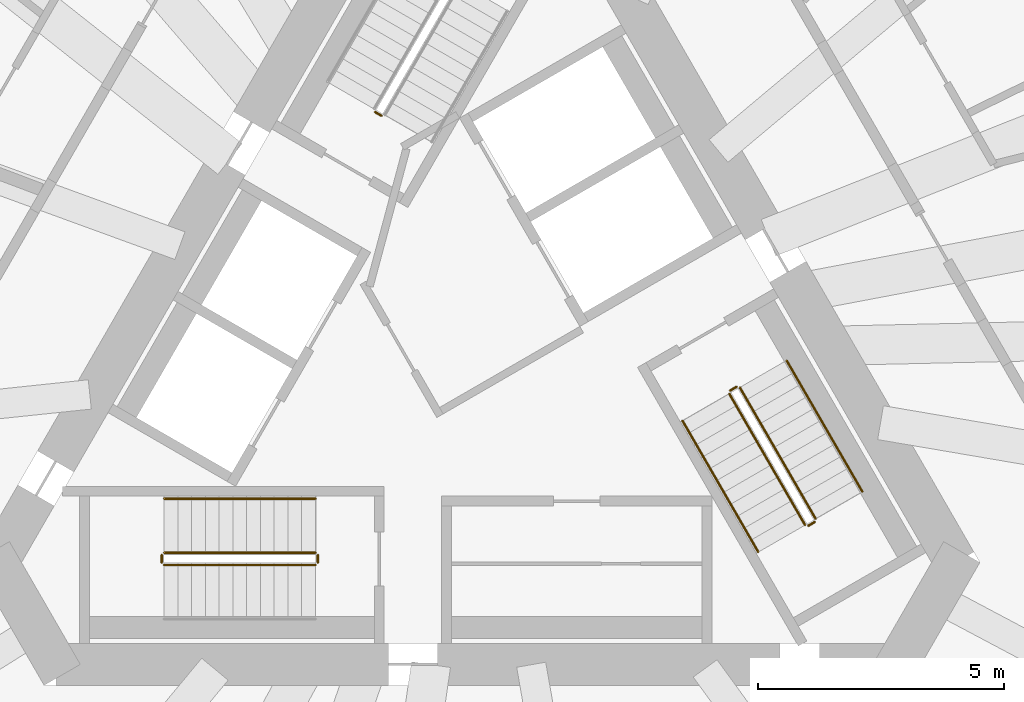
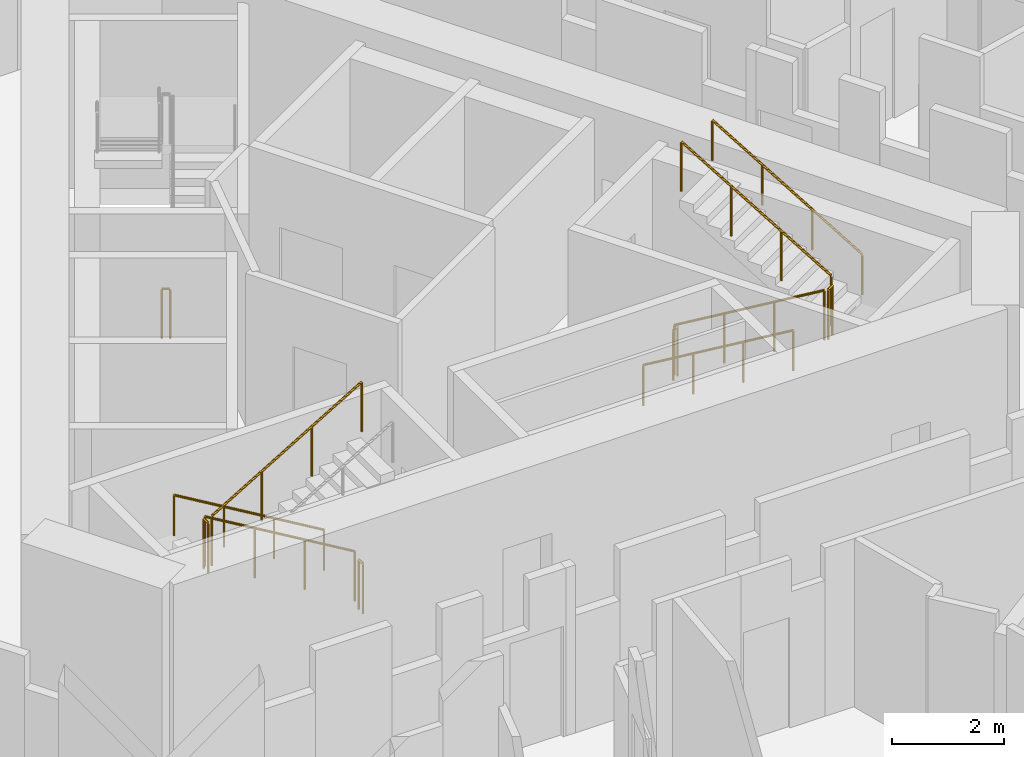
# One storey, part 11 of 14: 12 railings.
"""IFC4 building model written with IfcOpenShell, lengths in metres."""

from ifc_helpers import new_model, si_unit, direction, frame, origin, origin_2d, place, context, subcontext, project, spatial, circle, extrude, material, type_object, element, save


model = new_model("IFC4")

# Units and contexts
model_context = context("Model", 3, precision=1e-05, world=origin(), true_north=direction((0.0, 1.0)))
body_context = subcontext(model_context, "Body", "Model", "MODEL_VIEW")
ifc_project = project(units=[si_unit("LENGTHUNIT", "METRE"), si_unit("AREAUNIT", "SQUARE_METRE"), si_unit("VOLUMEUNIT", "CUBIC_METRE"), si_unit("PLANEANGLEUNIT", "RADIAN"), si_unit("MASSUNIT", "GRAM", prefix="KILO")], contexts=[model_context])

# Site, building, storey
site_placement = place(None, origin())
site = spatial("IfcSite", under=ifc_project, at=site_placement, CompositionType="ELEMENT")
building_placement = place(site_placement, origin())
building = spatial("IfcBuilding", under=site, at=building_placement, Name="Tramontana Tower", CompositionType="ELEMENT")
storey_placement = place(building_placement, frame((0.0, 0.0, 190.800048828125)))
storey = spatial("IfcBuildingStorey", under=building, at=storey_placement, Name="L44", CompositionType="ELEMENT", Elevation=190.800048828125)

# Railings
ifc_material_1 = material(Name="Painted steel", Category="steel")
railing_type_1 = type_object("IfcRailingType", Name="STAIR GUARD 1100", PredefinedType="GUARDRAIL", material=ifc_material_1)
railing_1_placement = place(storey_placement, frame((-1.935791015625, 4.84716796875, 0.0)))
element("IfcRailing", 1, at=railing_1_placement, inside=storey, type_object=railing_type_1, Name="L44 ST1 stair guard 4", PredefinedType="GUARDRAIL", context=body_context, shape_type="SweptSolid", body=[
    extrude(circle(Radius=0.02392578125, at=origin_2d()), frame((0.0, 0.0, 1.076171875), z_axis=(-0.865426285481, 0.501036270542, 0.0), x_axis=(-0.501036270542, -0.865426285481, 0.0)), (0.0, 0.0, 1.0), 0.150146484375),
    extrude(circle(Radius=0.02099609375, at=origin_2d()), origin(), (0.0, 0.0, 1.0), 1.052001953125),
    extrude(circle(Radius=0.02099609375, at=origin_2d()), frame((-0.1298828125, 0.0751953125, 0.0)), (0.0, 0.0, 1.0), 1.052001953125),
])
railing_2_placement = place(storey_placement, frame((-3.280029296875, -4.050048828125, 0.16650390625)))
element("IfcRailing", 2, at=railing_2_placement, inside=storey, type_object=railing_type_1, Name="L44 ST2 stair guard 1", PredefinedType="GUARDRAIL", context=body_context, shape_type="SweptSolid", body=[
    extrude(circle(Radius=0.02392578125, at=origin_2d()), frame((0.0, 0.0, 1.076171875), z_axis=(-0.85927862911, 0.0, 0.511507807912), x_axis=(0.0, -1.0, 0.0)), (0.0, 0.0, 1.0), 3.58447265625),
    extrude(circle(Radius=0.02099609375, at=origin_2d()), origin(), (0.0, 0.0, 1.0), 1.052001953125),
    extrude(circle(Radius=0.02099609375, at=origin_2d()), frame((-1.026611328125, 0.0, 0.611083984375)), (0.0, 0.0, 1.0), 1.052001953125),
    extrude(circle(Radius=0.02099609375, at=origin_2d()), frame((-2.053466796875, 0.0, 1.222412109375)), (0.0, 0.0, 1.0), 1.052001953125),
    extrude(circle(Radius=0.02099609375, at=origin_2d()), frame((-3.080078125, 0.0, 1.83349609375)), (0.0, 0.0, 1.0), 1.052001953125),
])
railing_3_placement = place(storey_placement, frame((-6.360107421875, -4.300048828125, 2.16650390625)))
element("IfcRailing", 3, at=railing_3_placement, inside=storey, type_object=railing_type_1, Name="L44 ST2 stair guard 2", PredefinedType="GUARDRAIL", context=body_context, shape_type="SweptSolid", body=[
    extrude(circle(Radius=0.02392578125, at=origin_2d()), frame((0.0, 0.0, 1.076171875), z_axis=(0.85927862911, 0.0, 0.511507807912), x_axis=(0.0, 1.0, 0.0)), (0.0, 0.0, 1.0), 3.58447265625),
    extrude(circle(Radius=0.02099609375, at=origin_2d()), origin(), (0.0, 0.0, 1.0), 1.052001953125),
    extrude(circle(Radius=0.02099609375, at=origin_2d()), frame((1.026611328125, 0.0, 0.611083984375)), (0.0, 0.0, 1.0), 1.052001953125),
    extrude(circle(Radius=0.02099609375, at=origin_2d()), frame((2.053466796875, 0.0, 1.222412109375)), (0.0, 0.0, 1.0), 1.052001953125),
    extrude(circle(Radius=0.02099609375, at=origin_2d()), frame((3.080078125, 0.0, 1.83349609375)), (0.0, 0.0, 1.0), 1.052001953125),
])
for number, where, name in (
    (4, (-6.409912109375, -4.10009765625, 2.0), "L44 ST2 stair guard 3"),
    (5, (-3.22998046875, -4.10009765625, 0.0), "L44 ST2 stair guard 4"),
):
    element("IfcRailing", number, at=place(storey_placement, frame(where)), inside=storey, type_object=railing_type_1, Name=name, PredefinedType="GUARDRAIL", context=body_context, shape_type="SweptSolid", body=[
        extrude(circle(Radius=0.02392578125, at=origin_2d()), frame((0.0, 0.0, 1.076171875), z_axis=(0.0, -1.0, 0.0), x_axis=(1.0, 0.0, 0.0)), (0.0, 0.0, 1.0), 0.14990234375),
        extrude(circle(Radius=0.02099609375, at=origin_2d()), origin(), (0.0, 0.0, 1.0), 1.052001953125),
        extrude(circle(Radius=0.02099609375, at=origin_2d()), frame((0.0, -0.14990234375, 0.0)), (0.0, 0.0, 1.0), 1.052001953125),
    ])
railing_4_placement = place(storey_placement, frame((5.1474609375, -0.815673828125, 0.16650390625)))
element("IfcRailing", 6, at=railing_4_placement, inside=storey, type_object=railing_type_1, Name="L44 ST3 stair guard 1", PredefinedType="GUARDRAIL", context=body_context, shape_type="SweptSolid", body=[
    extrude(circle(Radius=0.02392578125, at=origin_2d()), frame((0.0, 0.0, 1.076171875), z_axis=(0.429656224001, -0.744133520484, 0.511527939481), x_axis=(0.866010015463, 0.500026652407, 0.0)), (0.0, 0.0, 1.0), 3.58447265625),
    extrude(circle(Radius=0.02099609375, at=origin_2d()), origin(), (0.0, 0.0, 1.0), 1.052001953125),
    extrude(circle(Radius=0.02099609375, at=origin_2d()), frame((0.513427734375, -0.88916015625, 0.611083984375)), (0.0, 0.0, 1.0), 1.052001953125),
    extrude(circle(Radius=0.02099609375, at=origin_2d()), frame((1.026611328125, -1.778076171875, 1.222412109375)), (0.0, 0.0, 1.0), 1.052001953125),
    extrude(circle(Radius=0.02099609375, at=origin_2d()), frame((1.5400390625, -2.667236328125, 1.83349609375)), (0.0, 0.0, 1.0), 1.052001953125),
])
railing_5_placement = place(storey_placement, frame((6.90380859375, -3.35791015625, 2.16650390625)))
element("IfcRailing", 7, at=railing_5_placement, inside=storey, type_object=railing_type_1, Name="L44 ST3 stair guard 2", PredefinedType="GUARDRAIL", context=body_context, shape_type="SweptSolid", body=[
    extrude(circle(Radius=0.02392578125, at=origin_2d()), frame((0.0, 0.0, 1.076171875), z_axis=(-0.429600682602, 0.744155296881, 0.511542908886), x_axis=(-0.866044340336, -0.499967199496, 0.0)), (0.0, 0.0, 1.0), 3.584228515625),
    extrude(circle(Radius=0.02099609375, at=origin_2d()), origin(), (0.0, 0.0, 1.0), 1.052001953125),
    extrude(circle(Radius=0.02099609375, at=origin_2d()), frame((-0.51318359375, 0.88916015625, 0.611083984375)), (0.0, 0.0, 1.0), 1.052001953125),
    extrude(circle(Radius=0.02099609375, at=origin_2d()), frame((-1.026611328125, 1.778076171875, 1.222412109375)), (0.0, 0.0, 1.0), 1.052001953125),
    extrude(circle(Radius=0.02099609375, at=origin_2d()), frame((-1.539794921875, 2.667236328125, 1.83349609375)), (0.0, 0.0, 1.0), 1.052001953125),
])
for number, where, name in (
    (8, (6.755615234375, -3.501220703125, 2.0), "L44 ST3 stair guard 3"),
    (9, (5.165771484375, -0.747314453125, 0.0), "L44 ST3 stair guard 4"),
):
    element("IfcRailing", number, at=place(storey_placement, frame(where)), inside=storey, type_object=railing_type_1, Name=name, PredefinedType="GUARDRAIL", context=body_context, shape_type="SweptSolid", body=[
        extrude(circle(Radius=0.02392578125, at=origin_2d()), frame((0.0, 0.0, 1.076171875), z_axis=(0.866131372301, 0.499816412211, 0.0), x_axis=(-0.499816412211, 0.866131372301, 0.0)), (0.0, 0.0, 1.0), 0.14990234375),
        extrude(circle(Radius=0.02099609375, at=origin_2d()), origin(), (0.0, 0.0, 1.0), 1.052001953125),
        extrude(circle(Radius=0.02099609375, at=origin_2d()), frame((0.1298828125, 0.074951171875, 0.0)), (0.0, 0.0, 1.0), 1.052001953125),
    ])
ifc_material_2 = material(Name="Painted steel", Category="steel")
railing_type_2 = type_object("IfcRailingType", Name="STAIR HANDRAIL 900", PredefinedType="HANDRAIL", material=ifc_material_2)
railing_6_placement = place(storey_placement, frame((-3.280029296875, -2.949951171875, 0.16650390625)))
element("IfcRailing", 10, at=railing_6_placement, inside=storey, type_object=railing_type_2, Name="L44 ST2 stair handrail 1", PredefinedType="HANDRAIL", context=body_context, shape_type="SweptSolid", body=[
    extrude(circle(Radius=0.02392578125, at=origin_2d()), frame((0.0, 0.0, 0.8759765625), z_axis=(-0.85927862911, 0.0, 0.511507807912), x_axis=(0.0, -1.0, 0.0)), (0.0, 0.0, 1.0), 3.58447265625),
    extrude(circle(Radius=0.02099609375, at=origin_2d()), origin(), (0.0, 0.0, 1.0), 0.851806640625),
    extrude(circle(Radius=0.02099609375, at=origin_2d()), frame((-1.026611328125, 0.0, 0.611083984375)), (0.0, 0.0, 1.0), 0.851806640625),
    extrude(circle(Radius=0.02099609375, at=origin_2d()), frame((-2.053466796875, 0.0, 1.222412109375)), (0.0, 0.0, 1.0), 0.851806640625),
    extrude(circle(Radius=0.02099609375, at=origin_2d()), frame((-3.080078125, 0.0, 1.83349609375)), (0.0, 0.0, 1.0), 0.851806640625),
])
railing_7_placement = place(storey_placement, frame((4.19482421875, -1.365478515625, 0.16650390625)))
element("IfcRailing", 11, at=railing_7_placement, inside=storey, type_object=railing_type_2, Name="L44 ST3 stair handrail 1", PredefinedType="HANDRAIL", context=body_context, shape_type="SweptSolid", body=[
    extrude(circle(Radius=0.02392578125, at=origin_2d()), frame((0.0, 0.0, 0.8759765625), z_axis=(0.429634447492, -0.7441639146, 0.511502013422), x_axis=(0.866029832698, 0.499992328818, 0.0)), (0.0, 0.0, 1.0), 3.58447265625),
    extrude(circle(Radius=0.02099609375, at=origin_2d()), origin(), (0.0, 0.0, 1.0), 0.851806640625),
    extrude(circle(Radius=0.02099609375, at=origin_2d()), frame((0.513427734375, -0.88916015625, 0.611083984375)), (0.0, 0.0, 1.0), 0.851806640625),
    extrude(circle(Radius=0.02099609375, at=origin_2d()), frame((1.026611328125, -1.7783203125, 1.222412109375)), (0.0, 0.0, 1.0), 0.851806640625),
    extrude(circle(Radius=0.02099609375, at=origin_2d()), frame((1.5400390625, -2.66748046875, 1.83349609375)), (0.0, 0.0, 1.0), 0.851806640625),
])
railing_8_placement = place(storey_placement, frame((7.8564453125, -2.807861328125, 2.16650390625)))
element("IfcRailing", 12, at=railing_8_placement, inside=storey, type_object=railing_type_2, Name="L44 ST3 stair handrail 2", PredefinedType="HANDRAIL", context=body_context, shape_type="SweptSolid", body=[
    extrude(circle(Radius=0.02392578125, at=origin_2d()), frame((0.0, 0.0, 0.8759765625), z_axis=(-0.429600682602, 0.744155296881, 0.511542908886), x_axis=(-0.866044340336, -0.499967199496, 0.0)), (0.0, 0.0, 1.0), 3.584228515625),
    extrude(circle(Radius=0.02099609375, at=origin_2d()), origin(), (0.0, 0.0, 1.0), 0.851806640625),
    extrude(circle(Radius=0.02099609375, at=origin_2d()), frame((-0.51318359375, 0.88916015625, 0.611083984375)), (0.0, 0.0, 1.0), 0.851806640625),
    extrude(circle(Radius=0.02099609375, at=origin_2d()), frame((-1.026611328125, 1.778076171875, 1.222412109375)), (0.0, 0.0, 1.0), 0.851806640625),
    extrude(circle(Radius=0.02099609375, at=origin_2d()), frame((-1.539794921875, 2.667236328125, 1.83349609375)), (0.0, 0.0, 1.0), 0.851806640625),
])

save(model, "model.ifc")
